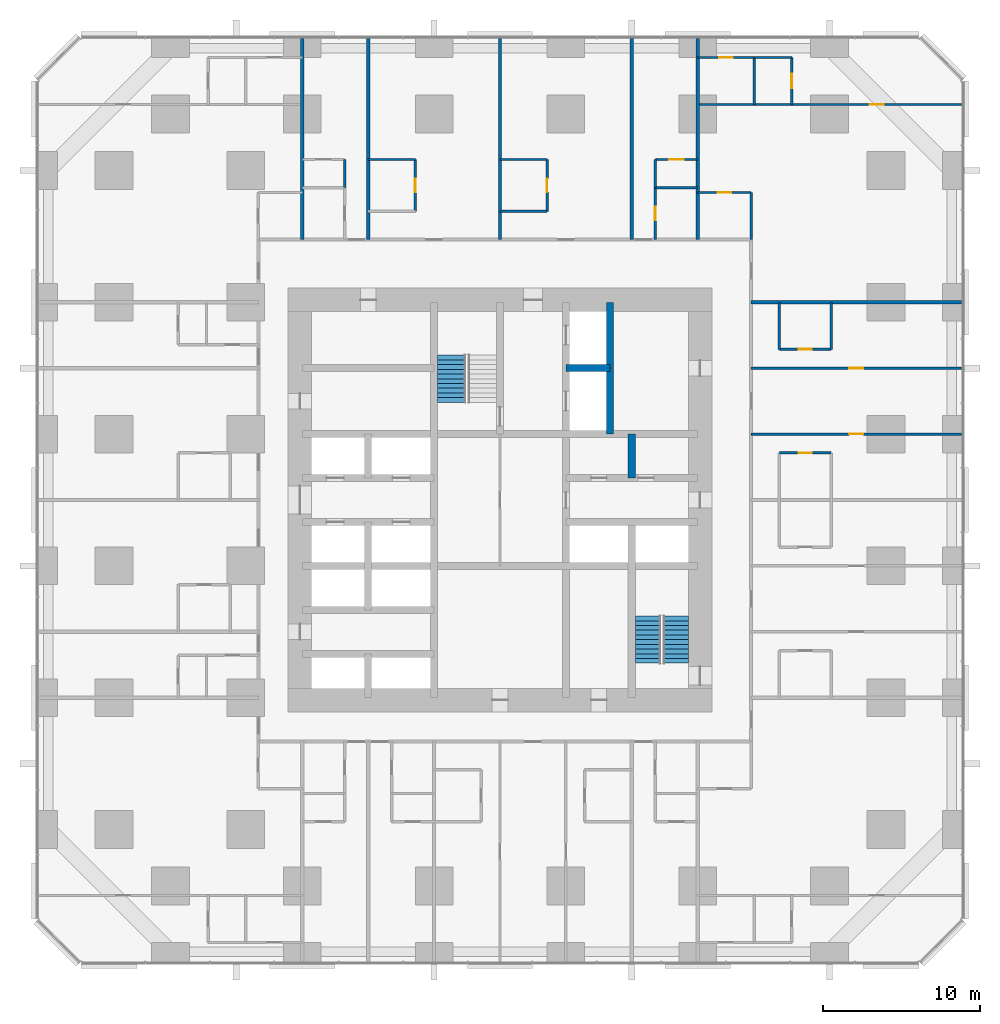
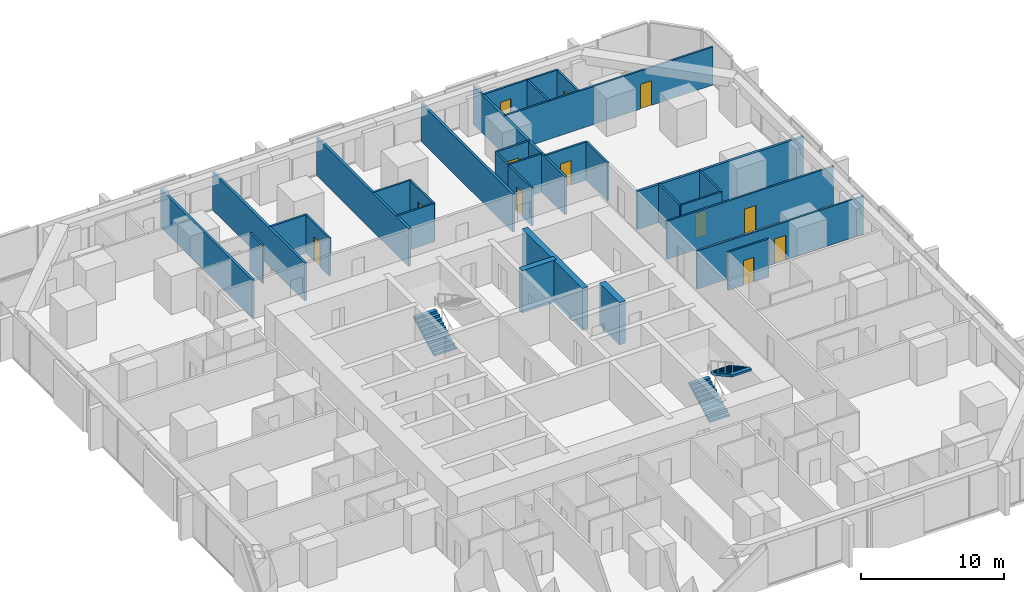
# One storey, part 15 of 17: 32 walls, 12 doors, 3 stair flights, 12 openings, 2 elements without a shape of their own.
"""IFC4 building model written with IfcOpenShell, lengths in metres."""

import ifcopenshell
import ifcopenshell.guid

model = None  # the IFC model being written
_history = None  # IfcOwnerHistory: only IFC2X3 demands one
_inside = {}  # id of a spatial element -> (the spatial element, [elements in it])
_under = {}  # id of a project, library or spatial element -> (it, [spatial elements below it])
_declared = {}  # id of a project -> (the project, [libraries it declares])
_typed = {}  # id of a type object -> (the type object, [elements of that type])
_made_of = {}  # id of a material, layer set ... -> (it, [elements and type objects made of it])


def new_model(schema):
    """Start an empty IFC model of exactly this schema.

    Asked for "IFC4X3", IfcOpenShell would pick the latest addendum, in which some entities
    have other attributes; the version numbers below select the first issue.
    IFC2X3 requires an IfcOwnerHistory on every rooted entity: one is made here for all.
    """
    global model, _history
    if schema == "IFC4X3":
        model = ifcopenshell.file(schema_version=(4, 3, 0, 0))
    else:
        model = ifcopenshell.file(schema=schema)
    _inside.clear()
    _under.clear()
    _declared.clear()
    _typed.clear()
    _made_of.clear()
    _history = None
    if model.schema == "IFC2X3":
        org = make("IfcOrganization", Name="unknown")
        user = make(
            "IfcPersonAndOrganization",
            ThePerson=make("IfcPerson", FamilyName="unknown"),
            TheOrganization=org,
        )
        app = make(
            "IfcApplication",
            ApplicationDeveloper=org,
            Version="unknown",
            ApplicationFullName="unknown",
            ApplicationIdentifier="unknown",
        )
        _history = make(
            "IfcOwnerHistory",
            OwningUser=user,
            OwningApplication=app,
            ChangeAction="ADDED",
            CreationDate=0,
        )
    return model


def make(cls, **values):
    """One entity of the class cls with the attributes given. An attribute that is None is left unset."""
    return model.create_entity(
        cls, **{name: value for name, value in values.items() if value is not None}
    )


def rooted(cls, **values):
    """An entity with a GlobalId (a new one), such as an element, a storey or a relation."""
    return make(cls, GlobalId=ifcopenshell.guid.new(), OwnerHistory=_history, **values)


def si_unit(unit_type, name, prefix=None):
    """IfcSIUnit, for example si_unit("LENGTHUNIT", "METRE", prefix="MILLI")."""
    return make("IfcSIUnit", UnitType=unit_type, Prefix=prefix, Name=name)


def assignment(units):
    """IfcUnitAssignment: the units of a project."""
    return None if units is None else make("IfcUnitAssignment", Units=units)


def point(xyz):
    """IfcCartesianPoint."""
    return None if xyz is None else make("IfcCartesianPoint", Coordinates=xyz)


def direction(xyz):
    """IfcDirection."""
    return None if xyz is None else make("IfcDirection", DirectionRatios=xyz)


def frame(location, z_axis=None, x_axis=None):
    """IfcAxis2Placement3D, a coordinate frame: its origin and axes. An axis left out is left unset."""
    return make(
        "IfcAxis2Placement3D",
        Location=point(location),
        Axis=direction(z_axis),
        RefDirection=direction(x_axis),
    )


def frame_2d(location, x_axis=None):
    """IfcAxis2Placement2D, a coordinate frame in the plane: its origin and x axis."""
    return make(
        "IfcAxis2Placement2D", Location=point(location), RefDirection=direction(x_axis)
    )


def origin():
    """The frame at (0, 0, 0) with its axes left unset."""
    return frame((0.0, 0.0, 0.0))


def place(relative_to, where):
    """IfcLocalPlacement: puts the frame where relative to a parent placement (None: the world)."""
    return make(
        "IfcLocalPlacement", PlacementRelTo=relative_to, RelativePlacement=where
    )


def context(
    kind, dimensions, precision=None, world=None, true_north=None, identifier=None
):
    """IfcGeometricRepresentationContext, for example the 3D "Model" context."""
    return make(
        "IfcGeometricRepresentationContext",
        ContextIdentifier=identifier,
        ContextType=kind,
        CoordinateSpaceDimension=dimensions,
        Precision=precision,
        WorldCoordinateSystem=world,
        TrueNorth=true_north,
    )


def subcontext(parent, identifier, kind, view, scale=None):
    """IfcGeometricRepresentationSubContext, for example "Body" below "Model"."""
    return make(
        "IfcGeometricRepresentationSubContext",
        ContextIdentifier=identifier,
        ContextType=kind,
        ParentContext=parent,
        TargetScale=scale,
        TargetView=view,
    )


def project(units=None, contexts=None):
    """IfcProject with its units and contexts."""
    return rooted(
        "IfcProject",
        Name="project",
        RepresentationContexts=contexts,
        UnitsInContext=assignment(units),
    )


def spatial(cls, under=None, at=None, **own):
    """A site, building, storey or space (cls), placed at a placement, below another one or the project."""
    s = rooted(cls, ObjectPlacement=at, **own)
    if under is not None:
        _under.setdefault(under.id(), (under, []))[1].append(s)
    return s


def polyline(points):
    """IfcPolyline through the points."""
    return make("IfcPolyline", Points=[point(p) for p in points])


def profile(cls, at=None, kind="AREA", **sizes):
    """A parametric profile (cls). Its sizes go by their IFC names, for example OverallWidth=200.0."""
    return make(cls, ProfileType=kind, Position=at, **sizes)


def rectangle(**sizes):
    """IfcRectangleProfileDef."""
    return profile("IfcRectangleProfileDef", **sizes)


def outline(outer, holes=None, kind="AREA"):
    """IfcArbitraryClosedProfileDef: a profile drawn as a closed curve; with holes, ...WithVoids."""
    if holes is None:
        return make("IfcArbitraryClosedProfileDef", ProfileType=kind, OuterCurve=outer)
    return make(
        "IfcArbitraryProfileDefWithVoids",
        ProfileType=kind,
        OuterCurve=outer,
        InnerCurves=holes,
    )


def extrude(swept, where, along, depth):
    """IfcExtrudedAreaSolid: the profile swept, set in the frame where, extruded along a direction by depth."""
    return make(
        "IfcExtrudedAreaSolid",
        SweptArea=swept,
        Position=where,
        ExtrudedDirection=direction(along),
        Depth=depth,
    )


def shape(context_of_items, identifier, shape_type, items):
    """IfcShapeRepresentation: the items that make up one representation, for example the "Body"."""
    return make(
        "IfcShapeRepresentation",
        ContextOfItems=context_of_items,
        RepresentationIdentifier=identifier,
        RepresentationType=shape_type,
        Items=items,
    )


def material(Name=None, Category=None):
    """IfcMaterial."""
    return make("IfcMaterial", Name=Name, Category=Category)


def layer(
    of_material, thickness, ventilated=None, Name=None, Category=None, Priority=None
):
    """IfcMaterialLayer: one layer of a wall or slab, of a material (None: an air gap)."""
    return make(
        "IfcMaterialLayer",
        Material=of_material,
        LayerThickness=thickness,
        IsVentilated=ventilated,
        Name=Name,
        Category=Category,
        Priority=Priority,
    )


def layer_set(layers, Name=None):
    """IfcMaterialLayerSet."""
    return make("IfcMaterialLayerSet", MaterialLayers=layers, LayerSetName=Name)


def made_of(thing, what):
    """Note that an element or type object is made of a material, layer set ...; save() writes the relation."""
    if what is not None:
        _made_of.setdefault(what.id(), (what, []))[1].append(thing)
    return thing


def type_object(cls, material=None, **own):
    """A type object (cls), such as IfcWallType, which elements share."""
    return made_of(rooted(cls, **own), material)


def element(
    cls,
    number,
    at=None,
    inside=None,
    cuts=None,
    type_object=None,
    material=None,
    context=None,
    identifier="Body",
    shape_type=None,
    held_by="IfcProductDefinitionShape",
    body=None,
    shapes=None,
    **own,
):
    """One element of the class cls, such as IfcWall. Its Tag is "e" and its number.

    at: its placement. inside: the storey or other place that contains it. cuts: it is an
    opening in that element (IfcRelVoidsElement). A single representation is given by context,
    identifier, shape_type and body (its items); several are given by shapes. held_by: the class
    of the entity that holds the representations. save() writes the other relations.
    """
    e = rooted(cls, Tag="e%d" % number, ObjectPlacement=at, **own)
    if body is not None:
        shapes = [shape(context, identifier, shape_type, body)]
    if shapes is not None:
        e.Representation = make(held_by, Representations=shapes)
    if inside is not None:
        _inside.setdefault(inside.id(), (inside, []))[1].append(e)
    if cuts is not None:
        rooted(
            "IfcRelVoidsElement", RelatingBuildingElement=cuts, RelatedOpeningElement=e
        )
    if type_object is not None:
        _typed.setdefault(type_object.id(), (type_object, []))[1].append(e)
    return made_of(e, material)


def fill(opening, filler):
    """IfcRelFillsElement: the door or window that sits in an opening."""
    return rooted(
        "IfcRelFillsElement",
        RelatingOpeningElement=opening,
        RelatedBuildingElement=filler,
    )


def aggregate(whole, parts):
    """IfcRelAggregates: a whole, such as a stair, and the parts it consists of."""
    return rooted("IfcRelAggregates", RelatingObject=whole, RelatedObjects=parts)


def save(model, path):
    """Write the relations noted so far, then the file.

    IfcRelAggregates (storeys below a building ...), IfcRelContainedInSpatialStructure (elements
    in a storey), IfcRelDefinesByType, IfcRelAssociatesMaterial and IfcRelDeclares: one each for
    every whole, place, type object, material and project.
    """
    for whole, parts in _under.values():
        aggregate(whole, parts)
    for where, things in _inside.values():
        rooted(
            "IfcRelContainedInSpatialStructure",
            RelatedElements=things,
            RelatingStructure=where,
        )
    for kind, things in _typed.values():
        rooted("IfcRelDefinesByType", RelatedObjects=things, RelatingType=kind)
    for what, things in _made_of.values():
        rooted("IfcRelAssociatesMaterial", RelatedObjects=things, RelatingMaterial=what)
    for by, libraries in _declared.values():
        rooted("IfcRelDeclares", RelatingContext=by, RelatedDefinitions=libraries)
    model.write(path)


model = new_model("IFC4")

# Units and contexts
model_context = context("Model", 3, precision=1e-05, world=origin(), true_north=direction((0.0, 1.0)))
body_context = subcontext(model_context, "Body", "Model", "MODEL_VIEW")
ifc_project = project(units=[si_unit("LENGTHUNIT", "METRE"), si_unit("AREAUNIT", "SQUARE_METRE"), si_unit("VOLUMEUNIT", "CUBIC_METRE"), si_unit("PLANEANGLEUNIT", "RADIAN"), si_unit("MASSUNIT", "GRAM", prefix="KILO")], contexts=[model_context])

# Site, building, storey
site_placement = place(None, origin())
site = spatial("IfcSite", under=ifc_project, at=site_placement, CompositionType="ELEMENT")
building_placement = place(site_placement, origin())
building = spatial("IfcBuilding", under=site, at=building_placement, Name="Dunama Terrace Hotel", CompositionType="ELEMENT")
storey_placement = place(building_placement, frame((0.0, 0.0, 81.0)))
storey = spatial("IfcBuildingStorey", under=building, at=storey_placement, Name="L20", CompositionType="ELEMENT", Elevation=81.0)

# Wall, opening, door
ifc_material_1 = material(Name="Gypsum board partition", Category="masonry")
ifc_layer_1 = layer(ifc_material_1, 0.14990234375)
ifc_layer_set_1 = layer_set([ifc_layer_1], Name="Bathroom partition 150")
wall_type_1 = type_object("IfcWallType", Name="Bathroom partition 150", PredefinedType="PARTITIONING", material=ifc_layer_set_1)
wall_1_placement = place(storey_placement, frame((24.0, 47.800048828125, 0.0), z_axis=(0.0, 0.0, 1.0), x_axis=(0.0, 1.0, 0.0)))
wall_1 = element("IfcWall", 1, at=wall_1_placement, inside=storey, type_object=wall_type_1, Name="Bathroom partition 150 L20", PredefinedType="PARTITIONING", context=body_context, shape_type="SweptSolid", body=[
    extrude(rectangle(XDim=3.300048828125, YDim=0.14990234375, at=frame_2d((1.64990234375, 0.0))), origin(), (0.0, 0.0, 1.0), 3.25),
])
opening_1_placement = place(wall_1_placement, frame((1.22509765625, 0.0, 0.0)))
opening_1 = element("IfcOpeningElement", 2, at=opening_1_placement, cuts=wall_1, Name="Opening L20-037", PredefinedType="OPENING", context=body_context, shape_type="SweptSolid", body=[
    extrude(rectangle(XDim=0.85009765625, YDim=2.10009765625, at=frame_2d((0.425048828125, 1.050048828125))), frame((0.0, 0.0849609375, 0.0), z_axis=(0.0, -1.0, 0.0), x_axis=(1.0, 0.0, 0.0)), (0.0, 0.0, 1.0), 0.169921875),
])
ifc_material_2 = material(Name="Timber door with steel frame", Category="steel")
door_type_1 = type_object("IfcDoorType", Name="Bathroom door 850", OperationType="SINGLE_SWING_LEFT", PredefinedType="DOOR", material=ifc_material_2)
door_1_placement = place(opening_1_placement, origin())
door_1 = element("IfcDoor", 3, at=door_1_placement, inside=storey, type_object=door_type_1, Name="Door to en-suite bathroom L20-037, type D2", OperationType="SINGLE_SWING_LEFT", OverallHeight=2.10009765625, OverallWidth=0.85009765625, PredefinedType="DOOR", context=body_context, shape_type="SweptSolid", body=[
    extrude(rectangle(XDim=0.85009765625, YDim=2.10009765625, at=frame_2d((0.425048828125, 1.050048828125))), frame((0.0, 0.02490234375, 0.0), z_axis=(0.0, -1.0, 0.0), x_axis=(1.0, 0.0, 0.0)), (0.0, 0.0, 1.0), 0.050048828125),
])
fill(opening_1, door_1)

wall_2_placement = place(storey_placement, frame((32.39990234375, 47.800048828125, 0.0), z_axis=(0.0, 0.0, 1.0), x_axis=(0.0, 1.0, 0.0)))
wall_2 = element("IfcWall", 4, at=wall_2_placement, inside=storey, type_object=wall_type_1, Name="Bathroom partition 150 L20", PredefinedType="PARTITIONING", context=body_context, shape_type="SweptSolid", body=[
    extrude(rectangle(XDim=3.300048828125, YDim=0.14990234375, at=frame_2d((1.64990234375, 0.0))), origin(), (0.0, 0.0, 1.0), 3.25),
])
opening_2_placement = place(wall_2_placement, frame((1.22509765625, 0.0, 0.0)))
opening_2 = element("IfcOpeningElement", 5, at=opening_2_placement, cuts=wall_2, Name="Opening L20-039", PredefinedType="OPENING", context=body_context, shape_type="SweptSolid", body=[
    extrude(rectangle(XDim=0.85009765625, YDim=2.10009765625, at=frame_2d((0.425048828125, 1.050048828125))), frame((0.0, 0.0849609375, 0.0), z_axis=(0.0, -1.0, 0.0), x_axis=(1.0, 0.0, 0.0)), (0.0, 0.0, 1.0), 0.169921875),
])
door_2_placement = place(opening_2_placement, origin())
door_2 = element("IfcDoor", 6, at=door_2_placement, inside=storey, type_object=door_type_1, Name="Door to en-suite bathroom L20-039, type D2", OperationType="SINGLE_SWING_LEFT", OverallHeight=2.10009765625, OverallWidth=0.85009765625, PredefinedType="DOOR", context=body_context, shape_type="SweptSolid", body=[
    extrude(rectangle(XDim=0.85009765625, YDim=2.10009765625, at=frame_2d((0.425048828125, 1.050048828125))), frame((0.0, 0.02490234375, 0.0), z_axis=(0.0, -1.0, 0.0), x_axis=(1.0, 0.0, 0.0)), (0.0, 0.0, 1.0), 0.050048828125),
])
fill(opening_2, door_2)

wall_3_placement = place(storey_placement, frame((39.300048828125, 46.0, 0.0), z_axis=(0.0, 0.0, 1.0), x_axis=(0.0, 1.0, 0.0)))
wall_3 = element("IfcWall", 7, at=wall_3_placement, inside=storey, type_object=wall_type_1, Name="Bathroom partition 150 L20", PredefinedType="PARTITIONING", context=body_context, shape_type="SweptSolid", body=[
    extrude(rectangle(XDim=3.300048828125, YDim=0.14990234375, at=frame_2d((1.64990234375, 0.0))), origin(), (0.0, 0.0, 1.0), 3.25),
])
opening_3_placement = place(wall_3_placement, frame((1.22509765625, 0.0, 0.0)))
opening_3 = element("IfcOpeningElement", 8, at=opening_3_placement, cuts=wall_3, Name="Opening L20-041", PredefinedType="OPENING", context=body_context, shape_type="SweptSolid", body=[
    extrude(rectangle(XDim=0.85009765625, YDim=2.10009765625, at=frame_2d((0.425048828125, 1.050048828125))), frame((0.0, 0.0849609375, 0.0), z_axis=(0.0, -1.0, 0.0), x_axis=(1.0, 0.0, 0.0)), (0.0, 0.0, 1.0), 0.169921875),
])
door_3_placement = place(opening_3_placement, frame((0.85009765625, 0.0, 0.0), z_axis=(0.0, 0.0, 1.0), x_axis=(-1.0, 0.0, 0.0)))
door_3 = element("IfcDoor", 9, at=door_3_placement, inside=storey, type_object=door_type_1, Name="Door to en-suite bathroom L20-041, type D2", OperationType="SINGLE_SWING_RIGHT", OverallHeight=2.10009765625, OverallWidth=0.85009765625, PredefinedType="DOOR", context=body_context, shape_type="SweptSolid", body=[
    extrude(rectangle(XDim=0.85009765625, YDim=2.10009765625, at=frame_2d((0.425048828125, 1.050048828125))), frame((0.0, 0.025146484375, 0.0), z_axis=(0.0, -1.0, 0.0), x_axis=(1.0, 0.0, 0.0)), (0.0, 0.0, 1.0), 0.050048828125),
])
fill(opening_3, door_3)

# Walls
for number, where, z_axis, x_axis, name in (
    (10, (45.39990234375, 46.0, 0.0), (0.0, 0.0, 1.0), (0.0, 1.0, 0.0), "Bathroom partition 150 L20"),
    (11, (47.199951171875, 39.0, 0.0), (0.0, 0.0, 1.0), (0.0, 1.0, 0.0), "Bathroom partition 150 L20"),
    (12, (50.5, 39.0, 0.0), (0.0, 0.0, 1.0), (0.0, 1.0, 0.0), "Bathroom partition 150 L20"),
):
    element("IfcWall", number, at=place(storey_placement, frame(where, z_axis=z_axis, x_axis=x_axis)), inside=storey, type_object=wall_type_1, Name=name, PredefinedType="PARTITIONING", context=body_context, shape_type="SweptSolid", body=[
        extrude(rectangle(XDim=3.0, YDim=0.14990234375, at=frame_2d((1.5, 0.0))), origin(), (0.0, 0.0, 1.0), 3.25),
    ])

# Wall, opening, door
wall_4_placement = place(storey_placement, frame((47.199951171875, 32.39990234375, 0.0), z_axis=(0.0, 0.0, 1.0), x_axis=(1.0, 0.0, 0.0)))
wall_4 = element("IfcWall", 13, at=wall_4_placement, inside=storey, type_object=wall_type_1, Name="Bathroom partition 150 L20", PredefinedType="PARTITIONING", context=body_context, shape_type="SweptSolid", body=[
    extrude(rectangle(XDim=3.300048828125, YDim=0.14990234375, at=frame_2d((1.64990234375, 0.0))), origin(), (0.0, 0.0, 1.0), 3.25),
])
opening_4_placement = place(wall_4_placement, frame((1.22509765625, 0.0, 0.0)))
opening_4 = element("IfcOpeningElement", 14, at=opening_4_placement, cuts=wall_4, Name="Opening L20-030", PredefinedType="OPENING", context=body_context, shape_type="SweptSolid", body=[
    extrude(rectangle(XDim=0.85009765625, YDim=2.10009765625, at=frame_2d((0.425048828125, 1.050048828125))), frame((0.0, 0.0849609375, 0.0), z_axis=(0.0, -1.0, 0.0), x_axis=(1.0, 0.0, 0.0)), (0.0, 0.0, 1.0), 0.169921875),
])
door_4_placement = place(opening_4_placement, frame((0.85009765625, 0.0, 0.0), z_axis=(0.0, 0.0, 1.0), x_axis=(-1.0, 0.0, 0.0)))
door_4 = element("IfcDoor", 15, at=door_4_placement, inside=storey, type_object=door_type_1, Name="Door to en-suite bathroom L20-030, type D2", OperationType="SINGLE_SWING_RIGHT", OverallHeight=2.10009765625, OverallWidth=0.85009765625, PredefinedType="DOOR", context=body_context, shape_type="SweptSolid", body=[
    extrude(rectangle(XDim=0.85009765625, YDim=2.10009765625, at=frame_2d((0.425048828125, 1.050048828125))), frame((0.0, 0.025146484375, 0.0), z_axis=(0.0, -1.0, 0.0), x_axis=(1.0, 0.0, 0.0)), (0.0, 0.0, 1.0), 0.050048828125),
])
fill(opening_4, door_4)

wall_5_placement = place(storey_placement, frame((47.199951171875, 39.0, 0.0), z_axis=(0.0, 0.0, 1.0), x_axis=(1.0, 0.0, 0.0)))
wall_5 = element("IfcWall", 16, at=wall_5_placement, inside=storey, type_object=wall_type_1, Name="Bathroom partition 150 L20", PredefinedType="PARTITIONING", context=body_context, shape_type="SweptSolid", body=[
    extrude(rectangle(XDim=3.300048828125, YDim=0.14990234375, at=frame_2d((1.64990234375, 0.0))), origin(), (0.0, 0.0, 1.0), 3.25),
])
opening_5_placement = place(wall_5_placement, frame((1.22509765625, 0.0, 0.0)))
opening_5 = element("IfcOpeningElement", 17, at=opening_5_placement, cuts=wall_5, Name="Opening L20-032", PredefinedType="OPENING", context=body_context, shape_type="SweptSolid", body=[
    extrude(rectangle(XDim=0.85009765625, YDim=2.10009765625, at=frame_2d((0.425048828125, 1.050048828125))), frame((0.0, 0.0849609375, 0.0), z_axis=(0.0, -1.0, 0.0), x_axis=(1.0, 0.0, 0.0)), (0.0, 0.0, 1.0), 0.169921875),
])
door_5_placement = place(opening_5_placement, origin())
door_5 = element("IfcDoor", 18, at=door_5_placement, inside=storey, type_object=door_type_1, Name="Door to en-suite bathroom L20-032, type D2", OperationType="SINGLE_SWING_LEFT", OverallHeight=2.10009765625, OverallWidth=0.85009765625, PredefinedType="DOOR", context=body_context, shape_type="SweptSolid", body=[
    extrude(rectangle(XDim=0.85009765625, YDim=2.10009765625, at=frame_2d((0.425048828125, 1.050048828125))), frame((0.0, 0.02490234375, 0.0), z_axis=(0.0, -1.0, 0.0), x_axis=(1.0, 0.0, 0.0)), (0.0, 0.0, 1.0), 0.050048828125),
])
fill(opening_5, door_5)

# Wall
wall_6_placement = place(storey_placement, frame((29.39990234375, 47.800048828125, 0.0), z_axis=(0.0, 0.0, 1.0), x_axis=(1.0, 0.0, 0.0)))
element("IfcWall", 19, at=wall_6_placement, inside=storey, type_object=wall_type_1, Name="Bathroom partition 150 L20", PredefinedType="PARTITIONING", context=body_context, shape_type="SweptSolid", body=[
    extrude(rectangle(XDim=3.0, YDim=0.14990234375, at=frame_2d((1.5, 0.0))), origin(), (0.0, 0.0, 1.0), 3.25),
])

# Wall, opening, door
wall_7_placement = place(storey_placement, frame((42.0, 49.0, 0.0), z_axis=(0.0, 0.0, 1.0), x_axis=(1.0, 0.0, 0.0)))
wall_7 = element("IfcWall", 20, at=wall_7_placement, inside=storey, type_object=wall_type_1, Name="Bathroom partition 150 L20", PredefinedType="PARTITIONING", context=body_context, shape_type="SweptSolid", body=[
    extrude(rectangle(XDim=3.39990234375, YDim=0.14990234375, at=frame_2d((1.699951171875, 0.0))), origin(), (0.0, 0.0, 1.0), 3.25),
])
opening_6_placement = place(wall_7_placement, frame((1.27490234375, 0.0, 0.0)))
opening_6 = element("IfcOpeningElement", 21, at=opening_6_placement, cuts=wall_7, Name="Opening L20-064", PredefinedType="OPENING", context=body_context, shape_type="SweptSolid", body=[
    extrude(rectangle(XDim=0.85009765625, YDim=2.10009765625, at=frame_2d((0.425048828125, 1.050048828125))), frame((0.0, 0.0849609375, 0.0), z_axis=(0.0, -1.0, 0.0), x_axis=(1.0, 0.0, 0.0)), (0.0, 0.0, 1.0), 0.169921875),
])
door_6_placement = place(opening_6_placement, frame((0.85009765625, 0.0, 0.0), z_axis=(0.0, 0.0, 1.0), x_axis=(-1.0, 0.0, 0.0)))
door_6 = element("IfcDoor", 22, at=door_6_placement, inside=storey, type_object=door_type_1, Name="Door to powder room L20-064, type D2", OperationType="SINGLE_SWING_RIGHT", OverallHeight=2.10009765625, OverallWidth=0.85009765625, PredefinedType="DOOR", context=body_context, shape_type="SweptSolid", body=[
    extrude(rectangle(XDim=0.85009765625, YDim=2.10009765625, at=frame_2d((0.425048828125, 1.050048828125))), frame((0.0, 0.025146484375, 0.0), z_axis=(0.0, -1.0, 0.0), x_axis=(1.0, 0.0, 0.0)), (0.0, 0.0, 1.0), 0.050048828125),
])
fill(opening_6, door_6)

# Walls
for number, where, z_axis, x_axis, name in (
    (23, (21.0, 51.10009765625, 0.0), (0.0, 0.0, 1.0), (1.0, 0.0, 0.0), "Bathroom partition 150 L20"),
    (24, (29.39990234375, 51.10009765625, 0.0), (0.0, 0.0, 1.0), (1.0, 0.0, 0.0), "Bathroom partition 150 L20"),
):
    element("IfcWall", number, at=place(storey_placement, frame(where, z_axis=z_axis, x_axis=x_axis)), inside=storey, type_object=wall_type_1, Name=name, PredefinedType="PARTITIONING", context=body_context, shape_type="SweptSolid", body=[
        extrude(rectangle(XDim=3.0, YDim=0.14990234375, at=frame_2d((1.5, 0.0))), origin(), (0.0, 0.0, 1.0), 3.25),
    ])

# Wall, opening, door
wall_8_placement = place(storey_placement, frame((42.0, 57.60009765625, 0.0), z_axis=(0.0, 0.0, 1.0), x_axis=(1.0, 0.0, 0.0)))
wall_8 = element("IfcWall", 25, at=wall_8_placement, inside=storey, type_object=wall_type_1, Name="Bathroom partition 150 L20", PredefinedType="PARTITIONING", context=body_context, shape_type="SweptSolid", body=[
    extrude(rectangle(XDim=3.60009765625, YDim=0.14990234375, at=frame_2d((1.800048828125, 0.0))), origin(), (0.0, 0.0, 1.0), 3.25),
])
opening_7_placement = place(wall_8_placement, frame((1.375, 0.0, 0.0)))
opening_7 = element("IfcOpeningElement", 26, at=opening_7_placement, cuts=wall_8, Name="Opening L20-066", PredefinedType="OPENING", context=body_context, shape_type="SweptSolid", body=[
    extrude(rectangle(XDim=0.85009765625, YDim=2.10009765625, at=frame_2d((0.425048828125, 1.050048828125))), frame((0.0, 0.0849609375, 0.0), z_axis=(0.0, -1.0, 0.0), x_axis=(1.0, 0.0, 0.0)), (0.0, 0.0, 1.0), 0.169921875),
])
door_7_placement = place(opening_7_placement, frame((0.85009765625, 0.0, 0.0), z_axis=(0.0, 0.0, 1.0), x_axis=(-1.0, 0.0, 0.0)))
door_7 = element("IfcDoor", 27, at=door_7_placement, inside=storey, type_object=door_type_1, Name="Door to en-suite bathroom L20-066, type D2", OperationType="SINGLE_SWING_RIGHT", OverallHeight=2.10009765625, OverallWidth=0.85009765625, PredefinedType="DOOR", context=body_context, shape_type="SweptSolid", body=[
    extrude(rectangle(XDim=0.85009765625, YDim=2.10009765625, at=frame_2d((0.425048828125, 1.050048828125))), frame((0.0, 0.025146484375, 0.0), z_axis=(0.0, -1.0, 0.0), x_axis=(1.0, 0.0, 0.0)), (0.0, 0.0, 1.0), 0.050048828125),
])
fill(opening_7, door_7)

# Walls
ifc_material_3 = material(Name="Concrete C50/60", Category="concrete")
ifc_layer_2 = layer(ifc_material_3, 0.449951171875)
ifc_layer_set_2 = layer_set([ifc_layer_2], Name="Core inner wall 450")
wall_type_2 = type_object("IfcWallType", Name="Core inner wall 450", PredefinedType="SHEAR", material=ifc_layer_set_2)
wall_9_placement = place(storey_placement, frame((36.39990234375, 33.60009765625, -0.35009765625), z_axis=(0.0, 0.0, 1.0), x_axis=(0.0, 1.0, 0.0)))
element("IfcWall", 28, at=wall_9_placement, inside=storey, type_object=wall_type_2, Name="Core inner wall 450 L20", PredefinedType="SHEAR", context=body_context, shape_type="SweptSolid", body=[
    extrude(rectangle(XDim=8.39990234375, YDim=0.449951171875, at=frame_2d((4.199951171875, 0.0))), origin(), (0.0, 0.0, 1.0), 3.60009765625),
])
wall_10_placement = place(storey_placement, frame((33.60009765625, 37.800048828125, -0.35009765625), z_axis=(0.0, 0.0, 1.0), x_axis=(1.0, 0.0, 0.0)))
element("IfcWall", 29, at=wall_10_placement, inside=storey, type_object=wall_type_2, Name="Core inner wall 450 L20", PredefinedType="SHEAR", context=body_context, shape_type="SweptSolid", body=[
    extrude(rectangle(XDim=2.7998046875, YDim=0.449951171875, at=frame_2d((1.39990234375, 0.0))), origin(), (0.0, 0.0, 1.0), 3.60009765625),
])
ifc_material_4 = material(Name="Concrete C50/60", Category="concrete")
ifc_layer_3 = layer(ifc_material_4, 0.5)
ifc_layer_set_3 = layer_set([ifc_layer_3], Name="Core inner wall 500")
wall_type_3 = type_object("IfcWallType", Name="Core inner wall 500", PredefinedType="SHEAR", material=ifc_layer_set_3)
wall_11_placement = place(storey_placement, frame((37.800048828125, 30.800048828125, -0.35009765625), z_axis=(0.0, 0.0, 1.0), x_axis=(0.0, 1.0, 0.0)))
element("IfcWall", 30, at=wall_11_placement, inside=storey, type_object=wall_type_3, Name="Core inner wall 500 L20", PredefinedType="SHEAR", context=body_context, shape_type="SweptSolid", body=[
    extrude(rectangle(XDim=2.800048828125, YDim=0.5, at=frame_2d((1.39990234375, 0.0))), origin(), (0.0, 0.0, 1.0), 3.60009765625),
])
ifc_material_5 = material(Name="Concrete blockwork", Category="masonry")
ifc_layer_4 = layer(ifc_material_5, 0.199951171875)
ifc_layer_set_4 = layer_set([ifc_layer_4], Name="Party wall 200")
wall_type_4 = type_object("IfcWallType", Name="Party wall 200", PredefinedType="PARTITIONING", material=ifc_layer_set_4)
for number, where, z_axis, x_axis, name in (
    (31, (16.800048828125, 46.0, 0.0), (0.0, 0.0, 1.0), (0.0, 1.0, 0.0), "Party wall 200 L20"),
    (32, (21.0, 46.0, 0.0), (0.0, 0.0, 1.0), (0.0, 1.0, 0.0), "Party wall 200 L20"),
    (33, (29.39990234375, 46.0, 0.0), (0.0, 0.0, 1.0), (0.0, 1.0, 0.0), "Party wall 200 L20"),
    (34, (37.800048828125, 46.0, 0.0), (0.0, 0.0, 1.0), (0.0, 1.0, 0.0), "Party wall 200 L20"),
    (35, (42.0, 46.0, 0.0), (0.0, 0.0, 1.0), (0.0, 1.0, 0.0), "Party wall 200 L20"),
):
    element("IfcWall", number, at=place(storey_placement, frame(where, z_axis=z_axis, x_axis=x_axis)), inside=storey, type_object=wall_type_4, Name=name, PredefinedType="PARTITIONING", context=body_context, shape_type="SweptSolid", body=[
        extrude(rectangle(XDim=12.80810546875, YDim=0.199951171875, at=frame_2d((6.404052734375, 0.0))), origin(), (0.0, 0.0, 1.0), 3.25),
    ])
wall_12_placement = place(storey_placement, frame((45.39990234375, 42.0, 0.0), z_axis=(0.0, 0.0, 1.0), x_axis=(1.0, 0.0, 0.0)))
element("IfcWall", 36, at=wall_12_placement, inside=storey, type_object=wall_type_4, Name="Party wall 200 L20", PredefinedType="PARTITIONING", context=body_context, shape_type="SweptSolid", body=[
    extrude(rectangle(XDim=13.408203125, YDim=0.199951171875, at=frame_2d((6.7041015625, 0.0))), origin(), (0.0, 0.0, 1.0), 3.25),
])
ifc_material_6 = material(Name="Gypsum board partition", Category="masonry")
ifc_layer_5 = layer(ifc_material_6, 0.14990234375)
ifc_layer_set_5 = layer_set([ifc_layer_5], Name="Room partition 150")
wall_type_5 = type_object("IfcWallType", Name="Room partition 150", PredefinedType="PARTITIONING", material=ifc_layer_set_5)
for number, where, z_axis, x_axis, name in (
    (37, (19.5, 49.300048828125, 0.0), (0.0, 0.0, 1.0), (0.0, 1.0, 0.0), "Room partition 150 L20"),
    (38, (39.300048828125, 49.300048828125, 0.0), (0.0, 0.0, 1.0), (0.0, 1.0, 0.0), "Room partition 150 L20"),
):
    element("IfcWall", number, at=place(storey_placement, frame(where, z_axis=z_axis, x_axis=x_axis)), inside=storey, type_object=wall_type_5, Name=name, PredefinedType="PARTITIONING", context=body_context, shape_type="SweptSolid", body=[
        extrude(rectangle(XDim=1.800048828125, YDim=0.14990234375, at=frame_2d((0.89990234375, 0.0))), origin(), (0.0, 0.0, 1.0), 3.25),
    ])
wall_13_placement = place(storey_placement, frame((45.60009765625, 54.60009765625, 0.0), z_axis=(0.0, 0.0, 1.0), x_axis=(0.0, 1.0, 0.0)))
element("IfcWall", 39, at=wall_13_placement, inside=storey, type_object=wall_type_5, Name="Room partition 150 L20", PredefinedType="PARTITIONING", context=body_context, shape_type="SweptSolid", body=[
    extrude(rectangle(XDim=3.0, YDim=0.14990234375, at=frame_2d((1.5, 0.0))), origin(), (0.0, 0.0, 1.0), 3.25),
])

# Wall, opening, door
wall_14_placement = place(storey_placement, frame((48.0, 54.60009765625, 0.0), z_axis=(0.0, 0.0, 1.0), x_axis=(0.0, 1.0, 0.0)))
wall_14 = element("IfcWall", 40, at=wall_14_placement, inside=storey, type_object=wall_type_5, Name="Room partition 150 L20", PredefinedType="PARTITIONING", context=body_context, shape_type="SweptSolid", body=[
    extrude(rectangle(XDim=3.0, YDim=0.14990234375, at=frame_2d((1.5, 0.0))), origin(), (0.0, 0.0, 1.0), 3.25),
])
opening_8_placement = place(wall_14_placement, frame((1.050048828125, 0.0, 0.0)))
opening_8 = element("IfcOpeningElement", 41, at=opening_8_placement, cuts=wall_14, Name="Opening L20-067", PredefinedType="OPENING", context=body_context, shape_type="SweptSolid", body=[
    extrude(rectangle(XDim=0.89990234375, YDim=2.10009765625, at=frame_2d((0.449951171875, 1.050048828125))), frame((0.0, 0.0849609375, 0.0), z_axis=(0.0, -1.0, 0.0), x_axis=(1.0, 0.0, 0.0)), (0.0, 0.0, 1.0), 0.169921875),
])
ifc_material_7 = material(Name="Timber door with steel frame", Category="steel")
door_type_2 = type_object("IfcDoorType", Name="Suite internal door 900", OperationType="SINGLE_SWING_LEFT", PredefinedType="DOOR", material=ifc_material_7)
door_8_placement = place(opening_8_placement, origin())
door_8 = element("IfcDoor", 42, at=door_8_placement, inside=storey, type_object=door_type_2, Name="Door to dressing room L20-067, type D16", OperationType="SINGLE_SWING_LEFT", OverallHeight=2.10009765625, OverallWidth=0.89990234375, PredefinedType="DOOR", context=body_context, shape_type="SweptSolid", body=[
    extrude(rectangle(XDim=0.89990234375, YDim=2.10009765625, at=frame_2d((0.449951171875, 1.050048828125))), frame((0.0, 0.02490234375, 0.0), z_axis=(0.0, -1.0, 0.0), x_axis=(1.0, 0.0, 0.0)), (0.0, 0.0, 1.0), 0.050048828125),
])
fill(opening_8, door_8)

wall_15_placement = place(storey_placement, frame((45.39990234375, 33.60009765625, 0.0), z_axis=(0.0, 0.0, 1.0), x_axis=(1.0, 0.0, 0.0)))
wall_15 = element("IfcWall", 43, at=wall_15_placement, inside=storey, type_object=wall_type_5, Name="Room partition 150 L20", PredefinedType="PARTITIONING", context=body_context, shape_type="SweptSolid", body=[
    extrude(rectangle(XDim=13.408203125, YDim=0.14990234375, at=frame_2d((6.7041015625, 0.0))), origin(), (0.0, 0.0, 1.0), 3.25),
])
opening_9_placement = place(wall_15_placement, frame((6.25, 0.0, 0.0)))
opening_9 = element("IfcOpeningElement", 44, at=opening_9_placement, cuts=wall_15, Name="Opening L20-029", PredefinedType="OPENING", context=body_context, shape_type="SweptSolid", body=[
    extrude(rectangle(XDim=0.89990234375, YDim=2.10009765625, at=frame_2d((0.449951171875, 1.050048828125))), frame((0.0, 0.0849609375, 0.0), z_axis=(0.0, -1.0, 0.0), x_axis=(1.0, 0.0, 0.0)), (0.0, 0.0, 1.0), 0.169921875),
])
door_9_placement = place(opening_9_placement, frame((0.89990234375, 0.0, 0.0), z_axis=(0.0, 0.0, 1.0), x_axis=(-1.0, 0.0, 0.0)))
door_9 = element("IfcDoor", 45, at=door_9_placement, inside=storey, type_object=door_type_2, Name="Door to family suite bedroom L20-029, type D16", OperationType="SINGLE_SWING_LEFT", OverallHeight=2.10009765625, OverallWidth=0.89990234375, PredefinedType="DOOR", context=body_context, shape_type="SweptSolid", body=[
    extrude(rectangle(XDim=0.89990234375, YDim=2.10009765625, at=frame_2d((0.449951171875, 1.050048828125))), frame((0.0, 0.025146484375, 0.0), z_axis=(0.0, -1.0, 0.0), x_axis=(1.0, 0.0, 0.0)), (0.0, 0.0, 1.0), 0.050048828125),
])
fill(opening_9, door_9)

wall_16_placement = place(storey_placement, frame((45.39990234375, 37.800048828125, 0.0), z_axis=(0.0, 0.0, 1.0), x_axis=(1.0, 0.0, 0.0)))
wall_16 = element("IfcWall", 46, at=wall_16_placement, inside=storey, type_object=wall_type_5, Name="Room partition 150 L20", PredefinedType="PARTITIONING", context=body_context, shape_type="SweptSolid", body=[
    extrude(rectangle(XDim=13.408203125, YDim=0.14990234375, at=frame_2d((6.7041015625, 0.0))), origin(), (0.0, 0.0, 1.0), 3.25),
])
opening_10_placement = place(wall_16_placement, frame((6.25, 0.0, 0.0)))
opening_10 = element("IfcOpeningElement", 47, at=opening_10_placement, cuts=wall_16, Name="Opening L20-031", PredefinedType="OPENING", context=body_context, shape_type="SweptSolid", body=[
    extrude(rectangle(XDim=0.89990234375, YDim=2.10009765625, at=frame_2d((0.449951171875, 1.050048828125))), frame((0.0, 0.0849609375, 0.0), z_axis=(0.0, -1.0, 0.0), x_axis=(1.0, 0.0, 0.0)), (0.0, 0.0, 1.0), 0.169921875),
])
door_10_placement = place(opening_10_placement, origin())
door_10 = element("IfcDoor", 48, at=door_10_placement, inside=storey, type_object=door_type_2, Name="Door to family suite second bedroom L20-031, type D16", OperationType="SINGLE_SWING_LEFT", OverallHeight=2.10009765625, OverallWidth=0.89990234375, PredefinedType="DOOR", context=body_context, shape_type="SweptSolid", body=[
    extrude(rectangle(XDim=0.89990234375, YDim=2.10009765625, at=frame_2d((0.449951171875, 1.050048828125))), frame((0.0, 0.02490234375, 0.0), z_axis=(0.0, -1.0, 0.0), x_axis=(1.0, 0.0, 0.0)), (0.0, 0.0, 1.0), 0.050048828125),
])
fill(opening_10, door_10)

# Wall
wall_17_placement = place(storey_placement, frame((39.300048828125, 49.300048828125, 0.0), z_axis=(0.0, 0.0, 1.0), x_axis=(1.0, 0.0, 0.0)))
element("IfcWall", 49, at=wall_17_placement, inside=storey, type_object=wall_type_5, Name="Room partition 150 L20", PredefinedType="PARTITIONING", context=body_context, shape_type="SweptSolid", body=[
    extrude(rectangle(XDim=2.699951171875, YDim=0.14990234375, at=frame_2d((1.35009765625, 0.0))), origin(), (0.0, 0.0, 1.0), 3.25),
])

# Wall, opening, door
wall_18_placement = place(storey_placement, frame((39.300048828125, 51.10009765625, 0.0), z_axis=(0.0, 0.0, 1.0), x_axis=(1.0, 0.0, 0.0)))
wall_18 = element("IfcWall", 50, at=wall_18_placement, inside=storey, type_object=wall_type_5, Name="Room partition 150 L20", PredefinedType="PARTITIONING", context=body_context, shape_type="SweptSolid", body=[
    extrude(rectangle(XDim=2.699951171875, YDim=0.14990234375, at=frame_2d((1.35009765625, 0.0))), origin(), (0.0, 0.0, 1.0), 3.25),
])
opening_11_placement = place(wall_18_placement, frame((0.89990234375, 0.0, 0.0)))
opening_11 = element("IfcOpeningElement", 51, at=opening_11_placement, cuts=wall_18, Name="Opening L20-042", PredefinedType="OPENING", context=body_context, shape_type="SweptSolid", body=[
    extrude(rectangle(XDim=0.89990234375, YDim=2.10009765625, at=frame_2d((0.449951171875, 1.050048828125))), frame((0.0, 0.0849609375, 0.0), z_axis=(0.0, -1.0, 0.0), x_axis=(1.0, 0.0, 0.0)), (0.0, 0.0, 1.0), 0.169921875),
])
door_11_placement = place(opening_11_placement, frame((0.89990234375, 0.0, 0.0), z_axis=(0.0, 0.0, 1.0), x_axis=(-1.0, 0.0, 0.0)))
door_11 = element("IfcDoor", 52, at=door_11_placement, inside=storey, type_object=door_type_2, Name="Door to walk-in wardrobe L20-042, type D16", OperationType="SINGLE_SWING_LEFT", OverallHeight=2.10009765625, OverallWidth=0.89990234375, PredefinedType="DOOR", context=body_context, shape_type="SweptSolid", body=[
    extrude(rectangle(XDim=0.89990234375, YDim=2.10009765625, at=frame_2d((0.449951171875, 1.050048828125))), frame((0.0, 0.025146484375, 0.0), z_axis=(0.0, -1.0, 0.0), x_axis=(1.0, 0.0, 0.0)), (0.0, 0.0, 1.0), 0.050048828125),
])
fill(opening_11, door_11)

wall_19_placement = place(storey_placement, frame((42.0, 54.60009765625, 0.0), z_axis=(0.0, 0.0, 1.0), x_axis=(1.0, 0.0, 0.0)))
wall_19 = element("IfcWall", 53, at=wall_19_placement, inside=storey, type_object=wall_type_5, Name="Room partition 150 L20", PredefinedType="PARTITIONING", context=body_context, shape_type="SweptSolid", body=[
    extrude(rectangle(XDim=16.80810546875, YDim=0.14990234375, at=frame_2d((8.404052734375, 0.0))), origin(), (0.0, 0.0, 1.0), 3.25),
])
opening_12_placement = place(wall_19_placement, frame((10.949951171875, 0.0, 0.0)))
opening_12 = element("IfcOpeningElement", 54, at=opening_12_placement, cuts=wall_19, Name="Opening L20-065", PredefinedType="OPENING", context=body_context, shape_type="SweptSolid", body=[
    extrude(rectangle(XDim=0.89990234375, YDim=2.10009765625, at=frame_2d((0.449951171875, 1.050048828125))), frame((0.0, 0.0849609375, 0.0), z_axis=(0.0, -1.0, 0.0), x_axis=(1.0, 0.0, 0.0)), (0.0, 0.0, 1.0), 0.169921875),
])
door_12_placement = place(opening_12_placement, origin())
door_12 = element("IfcDoor", 55, at=door_12_placement, inside=storey, type_object=door_type_2, Name="Door to corner suite bedroom L20-065, type D16", OperationType="SINGLE_SWING_LEFT", OverallHeight=2.10009765625, OverallWidth=0.89990234375, PredefinedType="DOOR", context=body_context, shape_type="SweptSolid", body=[
    extrude(rectangle(XDim=0.89990234375, YDim=2.10009765625, at=frame_2d((0.449951171875, 1.050048828125))), frame((0.0, 0.02490234375, 0.0), z_axis=(0.0, -1.0, 0.0), x_axis=(1.0, 0.0, 0.0)), (0.0, 0.0, 1.0), 0.050048828125),
])
fill(opening_12, door_12)

# Wall
wall_20_placement = place(storey_placement, frame((45.60009765625, 57.60009765625, 0.0), z_axis=(0.0, 0.0, 1.0), x_axis=(1.0, 0.0, 0.0)))
element("IfcWall", 56, at=wall_20_placement, inside=storey, type_object=wall_type_5, Name="Room partition 150 L20", PredefinedType="PARTITIONING", context=body_context, shape_type="SweptSolid", body=[
    extrude(rectangle(XDim=2.39990234375, YDim=0.14990234375, at=frame_2d((1.199951171875, 0.0))), origin(), (0.0, 0.0, 1.0), 3.25),
])

# Stair, stair flight
ifc_material_8 = material(Name="Concrete C40/50", Category="concrete")
stair_type_1 = type_object("IfcStairType", Name="Stair ST1-3600-1800", PredefinedType="HALF_TURN_STAIR", material=ifc_material_8)
stair_1_placement = place(storey_placement, origin())
stair_1 = element("IfcStair", 57, at=stair_1_placement, inside=storey, type_object=stair_type_1, Name="Stair ST1 L20", PredefinedType="HALF_TURN_STAIR")
ifc_material_9 = material(Name="Concrete C40/50", Category="concrete")
stair_flight_type_1 = type_object("IfcStairFlightType", Name="Stair flight ST1-3600-1800", PredefinedType="STRAIGHT", material=ifc_material_9)
stair_flight_1_placement = place(storey_placement, frame((26.324951171875, 35.625, 0.0), z_axis=(0.0, 0.0, 1.0), x_axis=(0.0, 1.0, 0.0)))
stair_flight_1 = element("IfcStairFlight", 58, at=stair_flight_1_placement, type_object=stair_flight_type_1, Name="ST1 flight 1", NumberOfRisers=11, NumberOfTreads=10, PredefinedType="STRAIGHT", RiserHeight=0.163636364, TreadLength=0.3, context=body_context, shape_type="SweptSolid", body=[
    extrude(outline(polyline([(0.0, 0.0), (0.0, 0.16357421875), (0.300048828125, 0.16357421875), (0.300048828125, 0.327392578125), (0.60009765625, 0.327392578125), (0.60009765625, 0.490966796875), (0.89990234375, 0.490966796875), (0.89990234375, 0.654541015625), (1.199951171875, 0.654541015625), (1.199951171875, 0.818115234375), (1.5, 0.818115234375), (1.5, 0.98193359375), (1.800048828125, 0.98193359375), (1.800048828125, 1.1455078125), (2.10009765625, 1.1455078125), (2.10009765625, 1.30908203125), (2.39990234375, 1.30908203125), (2.39990234375, 1.47265625), (2.699951171875, 1.47265625), (2.699951171875, 1.636474609375), (3.0, 1.636474609375), (3.0, 1.800048828125), (3.0, 1.465576171875), (0.31298828125, 0.0), (0.0, 0.0)])), frame((0.0, 0.89990234375, 0.0), z_axis=(0.0, -1.0, 0.0), x_axis=(1.0, 0.0, 0.0)), (0.0, 0.0, 1.0), 1.800048828125),
])
aggregate(stair_1, [stair_flight_1])

# Stair, stair flights
ifc_material_10 = material(Name="Concrete C40/50", Category="concrete")
stair_type_2 = type_object("IfcStairType", Name="Stair ST2-3600-1600", PredefinedType="HALF_TURN_STAIR", material=ifc_material_10)
stair_2_placement = place(storey_placement, origin())
stair_2 = element("IfcStair", 59, at=stair_2_placement, inside=storey, type_object=stair_type_2, Name="Stair ST2 L20", PredefinedType="HALF_TURN_STAIR")
ifc_material_11 = material(Name="Concrete C40/50", Category="concrete")
stair_flight_type_2 = type_object("IfcStairFlightType", Name="Stair flight ST2-3600-1600", PredefinedType="STRAIGHT", material=ifc_material_11)
stair_flight_2_placement = place(storey_placement, frame((38.85009765625, 19.0, 0.0), z_axis=(0.0, 0.0, 1.0), x_axis=(0.0, 1.0, 0.0)))
stair_flight_2 = element("IfcStairFlight", 60, at=stair_flight_2_placement, type_object=stair_flight_type_2, Name="ST2 flight 1", NumberOfRisers=11, NumberOfTreads=10, PredefinedType="STRAIGHT", RiserHeight=0.163636364, TreadLength=0.3, context=body_context, shape_type="SweptSolid", body=[
    extrude(outline(polyline([(0.0, 0.0), (0.0, 0.16357421875), (0.300048828125, 0.16357421875), (0.300048828125, 0.327392578125), (0.60009765625, 0.327392578125), (0.60009765625, 0.490966796875), (0.89990234375, 0.490966796875), (0.89990234375, 0.654541015625), (1.199951171875, 0.654541015625), (1.199951171875, 0.818115234375), (1.5, 0.818115234375), (1.5, 0.98193359375), (1.800048828125, 0.98193359375), (1.800048828125, 1.1455078125), (2.10009765625, 1.1455078125), (2.10009765625, 1.30908203125), (2.39990234375, 1.30908203125), (2.39990234375, 1.47265625), (2.699951171875, 1.47265625), (2.699951171875, 1.636474609375), (3.0, 1.636474609375), (3.0, 1.800048828125), (3.0, 1.465576171875), (0.31298828125, 0.0), (0.0, 0.0)])), frame((0.0, 0.800048828125, 0.0), z_axis=(0.0, -1.0, 0.0), x_axis=(1.0, 0.0, 0.0)), (0.0, 0.0, 1.0), 1.60009765625),
])
stair_flight_3_placement = place(storey_placement, frame((40.60009765625, 22.0, 1.800048828125), z_axis=(0.0, 0.0, 1.0), x_axis=(0.0, -1.0, 0.0)))
stair_flight_3 = element("IfcStairFlight", 61, at=stair_flight_3_placement, type_object=stair_flight_type_2, Name="ST2 flight 2", NumberOfRisers=11, NumberOfTreads=10, PredefinedType="STRAIGHT", RiserHeight=0.163636364, TreadLength=0.3, context=body_context, shape_type="SweptSolid", body=[
    extrude(outline(polyline([(0.0, 0.0), (0.0, 0.16357421875), (0.300048828125, 0.16357421875), (0.300048828125, 0.327392578125), (0.60009765625, 0.327392578125), (0.60009765625, 0.490966796875), (0.89990234375, 0.490966796875), (0.89990234375, 0.654541015625), (1.199951171875, 0.654541015625), (1.199951171875, 0.818115234375), (1.5, 0.818115234375), (1.5, 0.98193359375), (1.800048828125, 0.98193359375), (1.800048828125, 1.1455078125), (2.10009765625, 1.1455078125), (2.10009765625, 1.30908203125), (2.39990234375, 1.30908203125), (2.39990234375, 1.47265625), (2.699951171875, 1.47265625), (2.699951171875, 1.636474609375), (3.0, 1.636474609375), (3.0, 1.800048828125), (3.0, 1.465576171875), (0.31298828125, 0.0), (0.0, 0.0)])), frame((0.0, 0.800048828125, 0.0), z_axis=(0.0, -1.0, 0.0), x_axis=(1.0, 0.0, 0.0)), (0.0, 0.0, 1.0), 1.60009765625),
])
aggregate(stair_2, [stair_flight_2, stair_flight_3])

save(model, "model.ifc")
